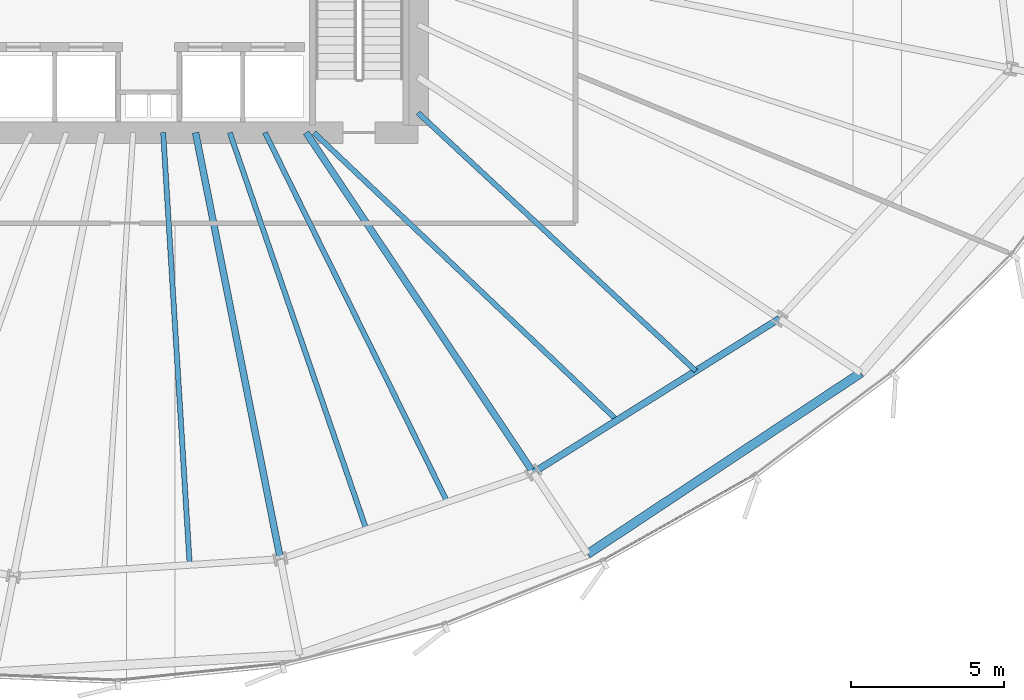
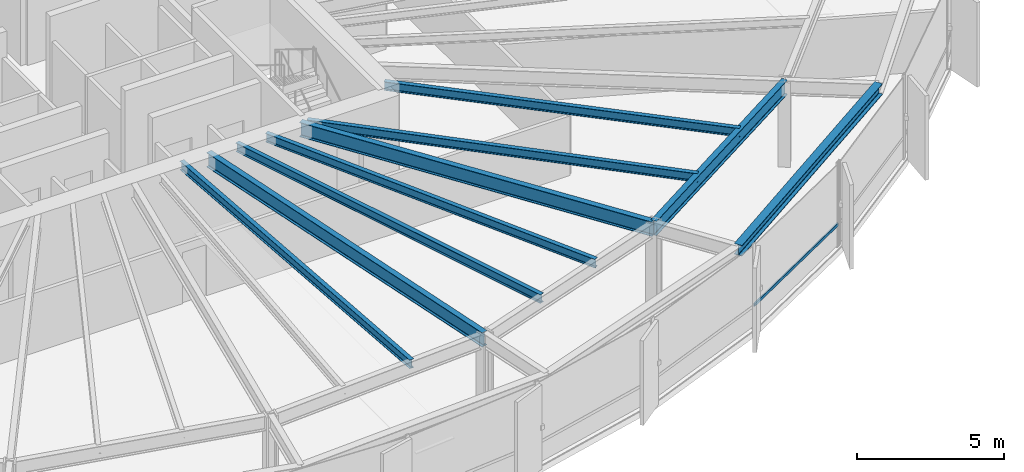
# One storey, part 11 of 35: 9 beams, 1 member, 1 element without a shape of its own.
"""IFC4 building model written with IfcOpenShell, lengths in metres."""

from ifc_helpers import new_model, si_unit, direction, frame, origin, origin_2d, place, context, subcontext, project, spatial, hollow_rectangle, i_section, extrude, source, transform, mapped, material, layer, layer_set, material_profile, profile_set, type_object, element, aggregate, save


model = new_model("IFC4")

# Units and contexts
model_context = context("Model", 3, precision=1e-05, world=origin(), true_north=direction((0.0, 1.0)))
body_context = subcontext(model_context, "Body", "Model", "MODEL_VIEW")
ifc_project = project(units=[si_unit("LENGTHUNIT", "METRE"), si_unit("AREAUNIT", "SQUARE_METRE"), si_unit("VOLUMEUNIT", "CUBIC_METRE"), si_unit("PLANEANGLEUNIT", "RADIAN"), si_unit("MASSUNIT", "GRAM", prefix="KILO"), si_unit("THERMODYNAMICTEMPERATUREUNIT", "KELVIN")], contexts=[model_context])

# Site, building, storey
site_placement = place(None, origin())
site = spatial("IfcSite", under=ifc_project, at=site_placement, CompositionType="ELEMENT")
building_placement = place(site_placement, origin())
building = spatial("IfcBuilding", under=site, at=building_placement, Name="Kethvar Cultural Tower", CompositionType="ELEMENT")
storey_placement = place(building_placement, frame((0.0, 0.0, 71.39990234375)))
storey = spatial("IfcBuildingStorey", under=building, at=storey_placement, Name="L17", CompositionType="ELEMENT", Elevation=71.39990234375)

# Beams
ifc_material_1 = material(Name="Steel S355J2", Category="steel")
ifc_material_profile_1 = material_profile(ifc_material_1, i_section(OverallWidth=0.219970703125, OverallDepth=0.60009765625, WebThickness=0.011962890625, FlangeThickness=0.01904296875, FilletRadius=0.02392578125, at=origin_2d()), Name="Steel S355J2 — IPE600")
ifc_profile_set_1 = profile_set([ifc_material_profile_1], Name="Steel S355J2 — IPE600")
beam_type_1 = type_object("IfcBeamType", Name="BM-IPE600", PredefinedType="BEAM", material=ifc_profile_set_1)
shared_shape_1 = source(origin(), body_context, "Body", "SweptSolid", [
    extrude(i_section(OverallWidth=0.219970703125, OverallDepth=0.60009765625, WebThickness=0.011962890625, FlangeThickness=0.01904296875, FilletRadius=0.02392578125, at=origin_2d()), origin(), (0.0, 0.0, 1.0), 14.210693359375),
])
beam_1_placement = place(storey_placement, frame((48.33154296875, 20.10009765625, 3.238037109375), z_axis=(0.195098432651, -0.980783667063, 0.0), x_axis=(0.980783667063, 0.195098432651, 0.0)))
element("IfcBeam", 1, at=beam_1_placement, inside=storey, type_object=beam_type_1, Name="L17 Primary Radial Beam RB-13", PredefinedType="BEAM", context=body_context, shape_type="MappedRepresentation", body=[
    mapped(shared_shape_1, transform((0.0, 0.0, 0.0), scale=1.0)),
])
shared_shape_2 = source(origin(), body_context, "Body", "SweptSolid", [
    extrude(i_section(OverallWidth=0.219970703125, OverallDepth=0.60009765625, WebThickness=0.011962890625, FlangeThickness=0.01904296875, FilletRadius=0.02392578125, at=origin_2d()), origin(), (0.0, 0.0, 1.0), 13.365478515625),
])
beam_2_placement = place(storey_placement, frame((51.945068359375, 20.10009765625, 3.238037109375), z_axis=(0.555559834465, -0.831476560301, 0.0), x_axis=(0.831476560301, 0.555559834465, 0.0)))
element("IfcBeam", 2, at=beam_2_placement, inside=storey, type_object=beam_type_1, Name="L17 Primary Radial Beam RB-14", PredefinedType="BEAM", context=body_context, shape_type="MappedRepresentation", body=[
    mapped(shared_shape_2, transform((0.0, 0.0, 0.0), scale=1.0)),
])
ifc_material_profile_2 = material_profile(ifc_material_1, i_section(OverallWidth=0.169921875, OverallDepth=0.360107421875, WebThickness=0.008056640625, FlangeThickness=0.0126953125, FilletRadius=0.01806640625, at=origin_2d()), Name="Steel S355J2 — IPE360")
ifc_profile_set_2 = profile_set([ifc_material_profile_2], Name="Steel S355J2 — IPE360")
beam_type_2 = type_object("IfcBeamType", Name="BM-J360", PredefinedType="JOIST", material=ifc_profile_set_2)
shared_shape_3 = source(origin(), body_context, "Body", "SweptSolid", [
    extrude(i_section(OverallWidth=0.169921875, OverallDepth=0.360107421875, WebThickness=0.008056640625, FlangeThickness=0.0126953125, FilletRadius=0.01806640625, at=origin_2d()), origin(), (0.0, 0.0, 1.0), 14.156494140625),
])
beam_3_placement = place(storey_placement, frame((47.272216796875, 20.10009765625, 3.358154296875), z_axis=(0.06122296991, -0.998124114505, 0.0), x_axis=(0.998124114505, 0.06122296991, 0.0)))
element("IfcBeam", 3, at=beam_3_placement, inside=storey, type_object=beam_type_2, Name="L17 Composite Floor Joist J-12B", PredefinedType="JOIST", context=body_context, shape_type="MappedRepresentation", body=[
    mapped(shared_shape_3, transform((0.0, 0.0, 0.0), scale=1.0)),
])
shared_shape_4 = source(origin(), body_context, "Body", "SweptSolid", [
    extrude(i_section(OverallWidth=0.169921875, OverallDepth=0.360107421875, WebThickness=0.008056640625, FlangeThickness=0.0126953125, FilletRadius=0.01806640625, at=origin_2d()), origin(), (0.0, 0.0, 1.0), 13.7236328125),
])
beam_4_placement = place(storey_placement, frame((49.449462890625, 20.10009765625, 3.358154296875), z_axis=(0.325355191569, -0.945591877778, 0.0), x_axis=(0.945591877778, 0.325355191569, 0.0)))
element("IfcBeam", 4, at=beam_4_placement, inside=storey, type_object=beam_type_2, Name="L17 Composite Floor Joist J-13A", PredefinedType="JOIST", context=body_context, shape_type="MappedRepresentation", body=[
    mapped(shared_shape_4, transform((0.0, 0.0, 0.0), scale=1.0)),
])
shared_shape_5 = source(origin(), body_context, "Body", "SweptSolid", [
    extrude(i_section(OverallWidth=0.169921875, OverallDepth=0.360107421875, WebThickness=0.008056640625, FlangeThickness=0.0126953125, FilletRadius=0.01806640625, at=origin_2d()), origin(), (0.0, 0.0, 1.0), 13.4638671875),
])
beam_5_placement = place(storey_placement, frame((50.6005859375, 20.10009765625, 3.358154296875), z_axis=(0.442609148219, -0.89671463795, 0.0), x_axis=(0.89671463795, 0.442609148219, 0.0)))
element("IfcBeam", 5, at=beam_5_placement, inside=storey, type_object=beam_type_2, Name="L17 Composite Floor Joist J-13B", PredefinedType="JOIST", context=body_context, shape_type="MappedRepresentation", body=[
    mapped(shared_shape_5, transform((0.0, 0.0, 0.0), scale=1.0)),
])
shared_shape_6 = source(origin(), body_context, "Body", "SweptSolid", [
    extrude(i_section(OverallWidth=0.219970703125, OverallDepth=0.60009765625, WebThickness=0.011962890625, FlangeThickness=0.01904296875, FilletRadius=0.02392578125, at=origin_2d()), origin(), (0.0, 0.0, 1.0), 9.493896484375),
])
beam_6_placement = place(storey_placement, frame((59.370361328125, 8.987060546875, 3.238037109375), z_axis=(0.847710685997, 0.530458851228, 0.0), x_axis=(-0.530458851228, 0.847710685997, 0.0)))
element("IfcBeam", 6, at=beam_6_placement, inside=storey, type_object=beam_type_1, Name="L17 Column Ring Tie Beam CR-14", PredefinedType="BEAM", context=body_context, shape_type="MappedRepresentation", body=[
    mapped(shared_shape_6, transform((0.0, 0.0, 0.0), scale=1.0)),
])
ifc_material_profile_3 = material_profile(ifc_material_1, i_section(OverallWidth=0.300048828125, OverallDepth=0.449951171875, WebThickness=0.013916015625, FlangeThickness=0.02587890625, FilletRadius=0.027099609375, at=origin_2d()), Name="Steel S355J2 — HEB450")
ifc_profile_set_3 = profile_set([ifc_material_profile_3], Name="Steel S355J2 — HEB450")
beam_type_3 = type_object("IfcBeamType", Name="BM-SP450", PredefinedType="SPANDREL", material=ifc_profile_set_3)
shared_shape_7 = source(origin(), body_context, "Body", "SweptSolid", [
    extrude(i_section(OverallWidth=0.300048828125, OverallDepth=0.449951171875, WebThickness=0.013916015625, FlangeThickness=0.02587890625, FilletRadius=0.027099609375, at=origin_2d()), origin(), (0.0, 0.0, 1.0), 10.71435546875),
])
beam_7_placement = place(storey_placement, frame((61.148193359375, 6.326416015625, 3.31298828125), z_axis=(0.833544146731, 0.552452853599, 0.0), x_axis=(-0.552452853599, 0.833544146731, 0.0)))
element("IfcBeam", 7, at=beam_7_placement, inside=storey, type_object=beam_type_3, Name="L17 Perimeter Spandrel Beam SP-14", PredefinedType="SPANDREL", context=body_context, shape_type="MappedRepresentation", body=[
    mapped(shared_shape_7, transform((0.0, 0.0, 0.0), scale=1.0)),
])
shared_shape_8 = source(origin(), body_context, "Body", "SweptSolid", [
    extrude(i_section(OverallWidth=0.169921875, OverallDepth=0.360107421875, WebThickness=0.008056640625, FlangeThickness=0.0126953125, FilletRadius=0.01806640625, at=origin_2d()), origin(), (0.0, 0.0, 1.0), 13.656982421875),
])
beam_8_placement = place(storey_placement, frame((52.199951171875, 20.10009765625, 3.358154296875), z_axis=(0.725392974221, -0.688334971472, 0.0), x_axis=(0.688334971472, 0.725392974221, 0.0)))
element("IfcBeam", 8, at=beam_8_placement, inside=storey, type_object=beam_type_2, Name="L17 Composite Floor Joist J-14A", PredefinedType="JOIST", context=body_context, shape_type="MappedRepresentation", body=[
    mapped(shared_shape_8, transform((0.0, 0.0, 0.0), scale=1.0)),
])
shared_shape_9 = source(origin(), body_context, "Body", "SweptSolid", [
    extrude(i_section(OverallWidth=0.169921875, OverallDepth=0.360107421875, WebThickness=0.008056640625, FlangeThickness=0.0126953125, FilletRadius=0.01806640625, at=origin_2d()), origin(), (0.0, 0.0, 1.0), 12.3974609375),
])
beam_9_placement = place(storey_placement, frame((55.60009765625, 20.75, 3.358154296875), z_axis=(0.732566203092, -0.68069578968, 0.0), x_axis=(0.68069578968, 0.732566203092, 0.0)))
element("IfcBeam", 9, at=beam_9_placement, inside=storey, type_object=beam_type_2, Name="L17 Composite Floor Joist J-14B", PredefinedType="JOIST", context=body_context, shape_type="MappedRepresentation", body=[
    mapped(shared_shape_9, transform((0.0, 0.0, 0.0), scale=1.0)),
])

# Curtain wall, member
ifc_material_2 = material(Name="Aluminium 6063-T6", Category="aluminium")
ifc_layer = layer(ifc_material_2, 0.179931640625, Name="Aluminium 6063-T6", Category="aluminium")
ifc_layer_set = layer_set([ifc_layer], Name="Aluminium 6063-T6 (180 mm)")
curtain_wall_type = type_object("IfcCurtainWallType", Name="CW-SYS-02-Z1", PredefinedType="NOTDEFINED", material=ifc_layer_set)
curtain_wall_placement = place(storey_placement, origin())
curtain_wall = element("IfcCurtainWall", 10, at=curtain_wall_placement, inside=storey, type_object=curtain_wall_type, Name="L17 Curtain Wall Run 05", PredefinedType="NOTDEFINED")
ifc_material_profile_4 = material_profile(ifc_material_2, hollow_rectangle(XDim=0.054931640625, YDim=0.1201171875, WallThickness=0.00390625, at=origin_2d()), Name="Aluminium 6063-T6 — RHS120x55x4")
ifc_profile_set_4 = profile_set([ifc_material_profile_4], Name="Aluminium 6063-T6 — RHS120x55x4")
member_type = type_object("IfcMemberType", Name="CW-SYS-02-Z1-TRN", PredefinedType="USERDEFINED", material=ifc_profile_set_4)
shared_shape_10 = source(origin(), body_context, "Body", "SweptSolid", [
    extrude(hollow_rectangle(XDim=0.054931640625, YDim=0.1201171875, WallThickness=0.00390625, at=origin_2d()), origin(), (0.0, 0.0, 1.0), 5.56982421875),
])
member_placement = place(storey_placement, frame((61.672607421875, 6.15087890625, 0.9501953125), z_axis=(0.871946362179, 0.489601410825, 0.0), x_axis=(-0.489601410825, 0.871946362179, 0.0)))
member = element("IfcMember", 11, at=member_placement, type_object=member_type, Name="CW-L17-R05 Transom 6", ObjectType="TRANSOM", PredefinedType="USERDEFINED", context=body_context, shape_type="MappedRepresentation", body=[
    mapped(shared_shape_10, transform((0.0, 0.0, 0.0), scale=1.0)),
])
aggregate(curtain_wall, [member])

save(model, "model.ifc")
